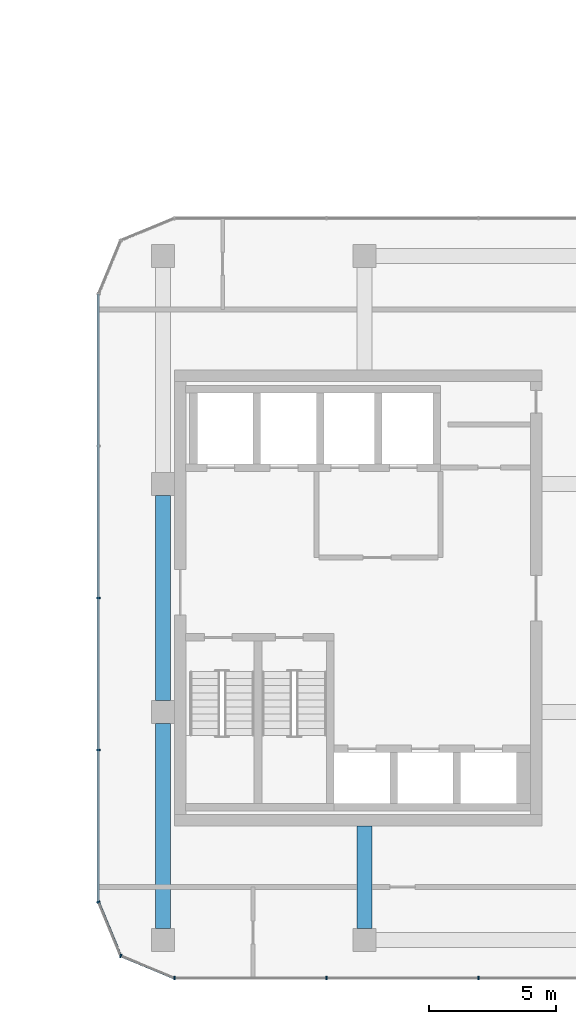
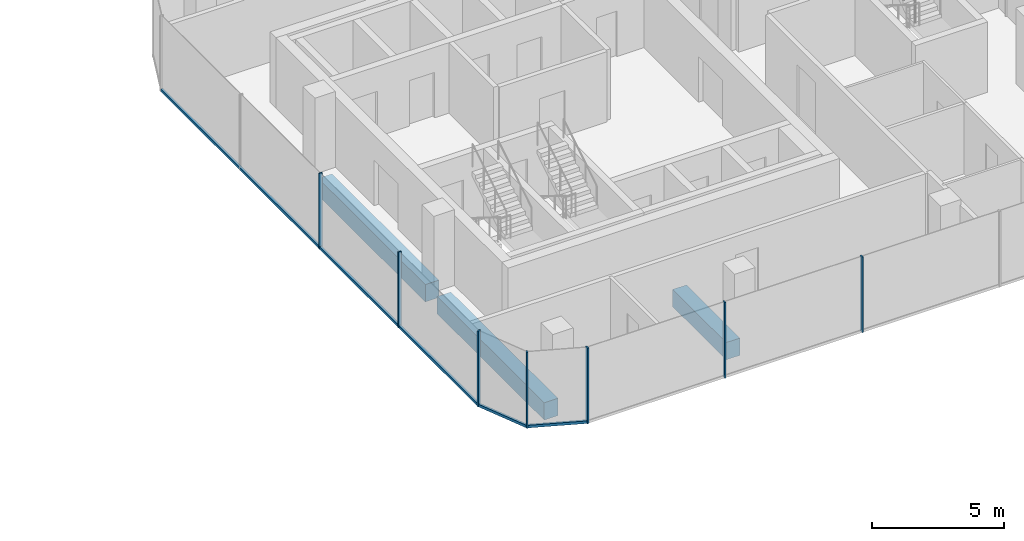
# One storey, part 7 of 23: 10 members, 3 beams, 4 elements without a shape of their own.
"""IFC4 building model written with IfcOpenShell, lengths in metres."""

from ifc_helpers import new_model, si_unit, direction, frame, origin, origin_2d, place, context, subcontext, project, spatial, rectangle, extrude, material, layer, layer_set, material_profile, profile_set, type_object, element, aggregate, save


model = new_model("IFC4")

# Units and contexts
model_context = context("Model", 3, precision=1e-05, world=origin(), true_north=direction((0.0, 1.0)))
body_context = subcontext(model_context, "Body", "Model", "MODEL_VIEW")
ifc_project = project(units=[si_unit("LENGTHUNIT", "METRE"), si_unit("AREAUNIT", "SQUARE_METRE"), si_unit("VOLUMEUNIT", "CUBIC_METRE"), si_unit("PLANEANGLEUNIT", "RADIAN"), si_unit("MASSUNIT", "GRAM", prefix="KILO")], contexts=[model_context])

# Site, building, storey
site_placement = place(None, origin())
site = spatial("IfcSite", under=ifc_project, at=site_placement, CompositionType="ELEMENT")
building_placement = place(site_placement, origin())
building = spatial("IfcBuilding", under=site, at=building_placement, Name="Plateau Cross Towers", CompositionType="ELEMENT")
storey_placement = place(building_placement, frame((0.0, 0.0, 81.800048828125)))
storey = spatial("IfcBuildingStorey", under=building, at=storey_placement, Name="L20", CompositionType="ELEMENT", Elevation=81.800048828125)

# Beam
ifc_material_1 = material(Name="Concrete C60/75", Category="concrete")
ifc_material_profile_1 = material_profile(ifc_material_1, rectangle(XDim=0.60009765625, YDim=0.800048828125, at=origin_2d()), Name="RC 600x800")
ifc_profile_set_1 = profile_set([ifc_material_profile_1], Name="Concrete C60/75")
beam_type_1 = type_object("IfcBeamType", Name="Core beam RC 600x800", PredefinedType="BEAM", material=ifc_profile_set_1)
beam_placement = place(storey_placement, frame((82.5, 0.0, -0.650146484375), z_axis=(0.0, -1.0, 0.0), x_axis=(1.0, 0.0, 0.0)))
element("IfcBeam", 1, at=beam_placement, inside=storey, type_object=beam_type_1, Name="B-CB01@L20", PredefinedType="BEAM", context=body_context, shape_type="SweptSolid", body=[
    extrude(rectangle(XDim=0.60009765625, YDim=0.800048828125, at=origin_2d()), origin(), (0.0, 0.0, 1.0), 4.050048828125),
])

# Curtain wall, members
ifc_material_2 = material(Name="Dark low-iron glass", Category="glass")
ifc_layer = layer(ifc_material_2, 0.239990234375)
ifc_layer_set = layer_set([ifc_layer], Name="Dark low-iron glass")
curtain_wall_type = type_object("IfcCurtainWallType", Name="Curtain wall office unitised CW-F", PredefinedType="NOTDEFINED", material=ifc_layer_set)
curtain_wall_1_placement = place(storey_placement, origin())
curtain_wall_1 = element("IfcCurtainWall", 2, at=curtain_wall_1_placement, inside=storey, type_object=curtain_wall_type, Name="ENV/B/L20/B750_-60", PredefinedType="NOTDEFINED")
ifc_material_3 = material(Name="Black anodised aluminium", Category="aluminium")
ifc_material_profile_2 = material_profile(ifc_material_3, rectangle(XDim=0.06005859375, YDim=0.139892578125, at=origin_2d()), Name="MULLION 60x140")
ifc_profile_set_2 = profile_set([ifc_material_profile_2], Name="Black anodised aluminium")
member_type_1 = type_object("IfcMemberType", Name="Mullion 60x140 office unitised", PredefinedType="MULLION", material=ifc_profile_set_2)
member_1_placement = place(storey_placement, frame((75.0, -6.0, -0.25), z_axis=(0.0, 0.0, 1.0), x_axis=(1.0, 0.0, 0.0)))
member_1 = element("IfcMember", 3, at=member_1_placement, type_object=member_type_1, Name="CW-F mullion 1", PredefinedType="MULLION", context=body_context, shape_type="SweptSolid", body=[
    extrude(rectangle(XDim=0.06005859375, YDim=0.139892578125, at=origin_2d()), origin(), (0.0, 0.0, 1.0), 3.5),
])
member_2_placement = place(storey_placement, frame((81.0, -6.0, -0.25), z_axis=(0.0, 0.0, 1.0), x_axis=(1.0, 0.0, 0.0)))
member_2 = element("IfcMember", 4, at=member_2_placement, type_object=member_type_1, Name="CW-F mullion 2", PredefinedType="MULLION", context=body_context, shape_type="SweptSolid", body=[
    extrude(rectangle(XDim=0.06005859375, YDim=0.139892578125, at=origin_2d()), origin(), (0.0, 0.0, 1.0), 3.5),
])
member_3_placement = place(storey_placement, frame((87.0, -6.0, -0.25), z_axis=(0.0, 0.0, 1.0), x_axis=(1.0, 0.0, 0.0)))
member_3 = element("IfcMember", 5, at=member_3_placement, type_object=member_type_1, Name="CW-F mullion 3", PredefinedType="MULLION", context=body_context, shape_type="SweptSolid", body=[
    extrude(rectangle(XDim=0.06005859375, YDim=0.139892578125, at=origin_2d()), origin(), (0.0, 0.0, 1.0), 3.5),
])
aggregate(curtain_wall_1, [member_1, member_2, member_3])

curtain_wall_2_placement = place(storey_placement, origin())
curtain_wall_2 = element("IfcCurtainWall", 6, at=curtain_wall_2_placement, inside=storey, type_object=curtain_wall_type, Name="ENV/B/L20/B720_210", PredefinedType="NOTDEFINED")
member_4_placement = place(storey_placement, frame((72.0, 9.0, -0.25), z_axis=(0.0, 0.0, 1.0), x_axis=(0.0, -1.0, 0.0)))
member_4 = element("IfcMember", 7, at=member_4_placement, type_object=member_type_1, Name="CW-F mullion 3", PredefinedType="MULLION", context=body_context, shape_type="SweptSolid", body=[
    extrude(rectangle(XDim=0.06005859375, YDim=0.139892578125, at=origin_2d()), origin(), (0.0, 0.0, 1.0), 3.5),
])
member_5_placement = place(storey_placement, frame((72.0, 3.0, -0.25), z_axis=(0.0, 0.0, 1.0), x_axis=(0.0, -1.0, 0.0)))
member_5 = element("IfcMember", 8, at=member_5_placement, type_object=member_type_1, Name="CW-F mullion 4", PredefinedType="MULLION", context=body_context, shape_type="SweptSolid", body=[
    extrude(rectangle(XDim=0.06005859375, YDim=0.139892578125, at=origin_2d()), origin(), (0.0, 0.0, 1.0), 3.5),
])

# Curtain wall, member
curtain_wall_3_placement = place(storey_placement, origin())
curtain_wall_3 = element("IfcCurtainWall", 9, at=curtain_wall_3_placement, inside=storey, type_object=curtain_wall_type, Name="ENV/B/L20/B720_-30", PredefinedType="NOTDEFINED")
member_6_placement = place(storey_placement, frame((72.0, -3.0, -0.25), z_axis=(0.0, 0.0, 1.0), x_axis=(0.382683612978, -0.923879457699, 0.0)))
member_6 = element("IfcMember", 10, at=member_6_placement, type_object=member_type_1, Name="CW-F mullion 1", PredefinedType="MULLION", context=body_context, shape_type="SweptSolid", body=[
    extrude(rectangle(XDim=0.06005859375, YDim=0.139892578125, at=origin_2d()), origin(), (0.0, 0.0, 1.0), 3.5),
])

curtain_wall_4_placement = place(storey_placement, origin())
curtain_wall_4 = element("IfcCurtainWall", 11, at=curtain_wall_4_placement, inside=storey, type_object=curtain_wall_type, Name="ENV/B/L20/B729_-51", PredefinedType="NOTDEFINED")
member_7_placement = place(storey_placement, frame((72.878662109375, -5.121337890625, -0.25), z_axis=(0.0, 0.0, 1.0), x_axis=(0.923879457699, -0.382683612978, 0.0)))
member_7 = element("IfcMember", 12, at=member_7_placement, type_object=member_type_1, Name="CW-F mullion 1", PredefinedType="MULLION", context=body_context, shape_type="SweptSolid", body=[
    extrude(rectangle(XDim=0.06005859375, YDim=0.139892578125, at=origin_2d()), origin(), (0.0, 0.0, 1.0), 3.5),
])

# Beams
ifc_material_profile_3 = material_profile(ifc_material_1, rectangle(XDim=0.60009765625, YDim=0.800048828125, at=origin_2d()), Name="RC 600x800")
ifc_profile_set_3 = profile_set([ifc_material_profile_3], Name="Concrete C60/75")
beam_type_2 = type_object("IfcBeamType", Name="Ring beam RC 600x800", PredefinedType="BEAM", material=ifc_profile_set_3)
for number, where, z_axis, x_axis, name in (
    (13, (74.550048828125, 13.050048828125, -0.650146484375), (0.0, -1.0, 0.0), (1.0, 0.0, 0.0), "B-RB09@L20"),
    (14, (74.550048828125, 4.050048828125, -0.650146484375), (0.0, -1.0, 0.0), (1.0, 0.0, 0.0), "B-RB10@L20"),
):
    element("IfcBeam", number, at=place(storey_placement, frame(where, z_axis=z_axis, x_axis=x_axis)), inside=storey, type_object=beam_type_2, Name=name, PredefinedType="BEAM", context=body_context, shape_type="SweptSolid", body=[
        extrude(rectangle(XDim=0.60009765625, YDim=0.800048828125, at=origin_2d()), origin(), (0.0, 0.0, 1.0), 8.10009765625),
    ])

# Member
ifc_material_profile_4 = material_profile(ifc_material_3, rectangle(XDim=0.10009765625, YDim=0.1201171875, at=origin_2d()), Name="TRANSOM 100x120")
ifc_profile_set_4 = profile_set([ifc_material_profile_4], Name="Black anodised aluminium")
member_type_2 = type_object("IfcMemberType", Name="Transom 100x120 office unitised", PredefinedType="USERDEFINED", material=ifc_profile_set_4)
member_8_placement = place(storey_placement, frame((72.0, 21.0, -0.18994140625), z_axis=(0.0, -1.0, 0.0), x_axis=(1.0, 0.0, 0.0)))
member_8 = element("IfcMember", 15, at=member_8_placement, type_object=member_type_2, Name="CW-F transom", ObjectType="TRANSOM", PredefinedType="USERDEFINED", context=body_context, shape_type="SweptSolid", body=[
    extrude(rectangle(XDim=0.10009765625, YDim=0.1201171875, at=origin_2d()), origin(), (0.0, 0.0, 1.0), 24.0),
])

aggregate(curtain_wall_2, [member_4, member_5, member_8])

member_9_placement = place(storey_placement, frame((72.0, -3.0, -0.18994140625), z_axis=(0.382674207535, -0.923883353507, 0.0), x_axis=(0.923883353507, 0.382674207535, 0.0)))
member_9 = element("IfcMember", 16, at=member_9_placement, type_object=member_type_2, Name="CW-F transom", ObjectType="TRANSOM", PredefinedType="USERDEFINED", context=body_context, shape_type="SweptSolid", body=[
    extrude(rectangle(XDim=0.10009765625, YDim=0.1201171875, at=origin_2d()), origin(), (0.0, 0.0, 1.0), 2.296142578125),
])

aggregate(curtain_wall_3, [member_6, member_9])

member_10_placement = place(storey_placement, frame((72.878662109375, -5.121337890625, -0.18994140625), z_axis=(0.923883353507, -0.382674207535, 0.0), x_axis=(0.382674207535, 0.923883353507, 0.0)))
member_10 = element("IfcMember", 17, at=member_10_placement, type_object=member_type_2, Name="CW-F transom", ObjectType="TRANSOM", PredefinedType="USERDEFINED", context=body_context, shape_type="SweptSolid", body=[
    extrude(rectangle(XDim=0.10009765625, YDim=0.1201171875, at=origin_2d()), origin(), (0.0, 0.0, 1.0), 2.296142578125),
])

aggregate(curtain_wall_4, [member_7, member_10])

save(model, "model.ifc")
